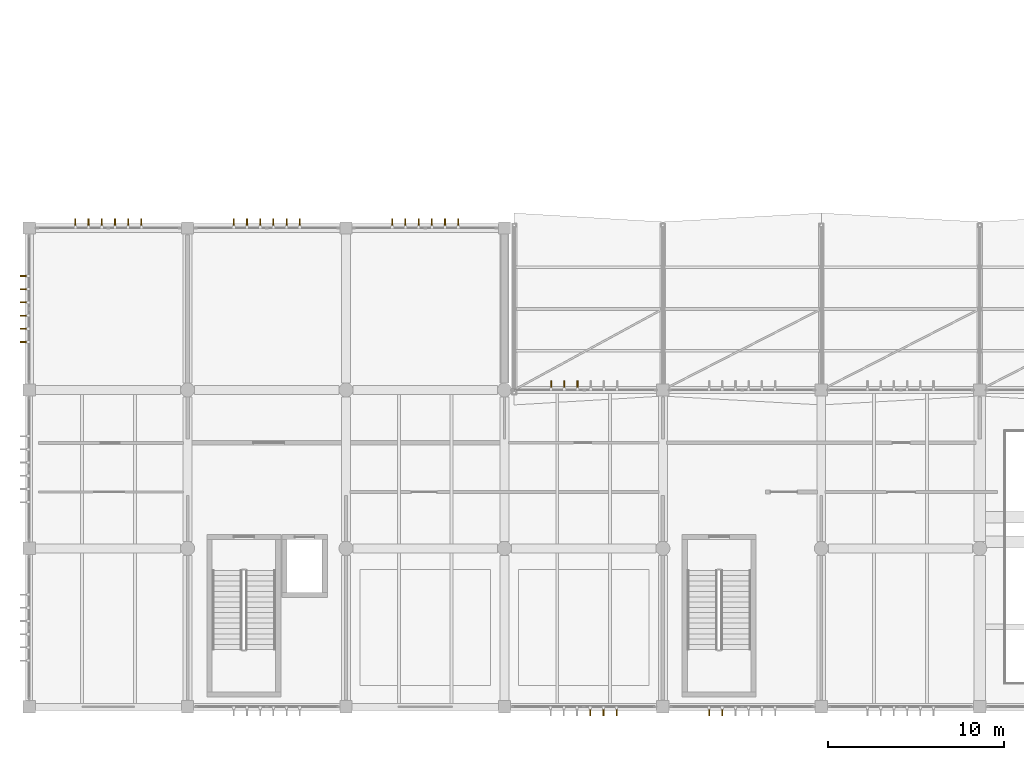
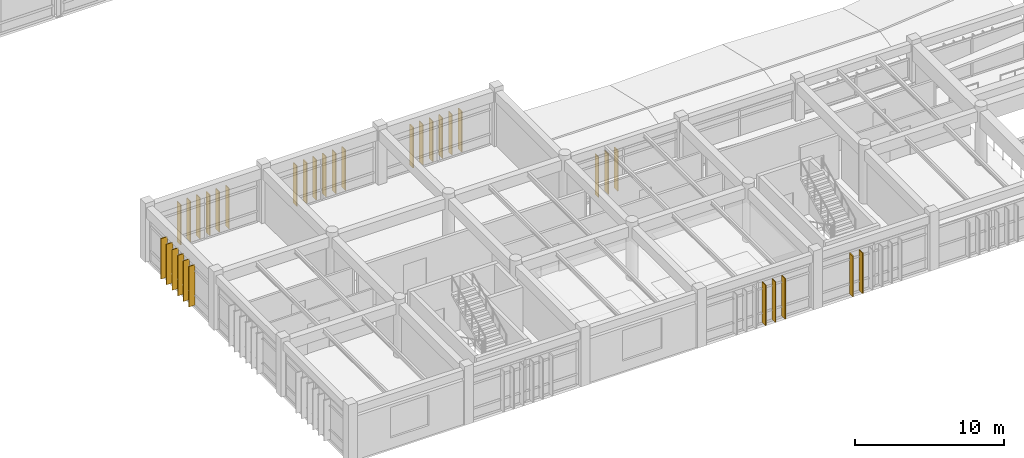
# One storey, part 83 of 90: 32 shading devices.
"""IFC4 building model written with IfcOpenShell, lengths in metres."""

from ifc_helpers import new_model, si_unit, direction, frame, origin, origin_2d, place, context, subcontext, project, spatial, rectangle, extrude, material, type_object, element, save


model = new_model("IFC4")

# Units and contexts
model_context = context("Model", 3, precision=1e-05, world=origin(), true_north=direction((0.0, 1.0)))
body_context = subcontext(model_context, "Body", "Model", "MODEL_VIEW")
ifc_project = project(units=[si_unit("LENGTHUNIT", "METRE"), si_unit("AREAUNIT", "SQUARE_METRE"), si_unit("VOLUMEUNIT", "CUBIC_METRE"), si_unit("PLANEANGLEUNIT", "RADIAN"), si_unit("MASSUNIT", "GRAM", prefix="KILO")], contexts=[model_context])

# Site, building, storey
site_placement = place(None, origin())
site = spatial("IfcSite", under=ifc_project, at=site_placement, CompositionType="ELEMENT")
building_placement = place(site_placement, origin())
building = spatial("IfcBuilding", under=site, at=building_placement, Name="Bozkorgan Art Gallery", CompositionType="ELEMENT")
storey_placement = place(building_placement, frame((0.0, 0.0, 5.39990234375)))
storey = spatial("IfcBuildingStorey", under=building, at=storey_placement, Name="L01", CompositionType="ELEMENT", Elevation=5.39990234375)

# Shading devices
ifc_material = material(Name="Polychrome Vitrified Ceramic Tile")
shading_device_type = type_object("IfcShadingDeviceType", Name="SHD-FIN-01", PredefinedType="USERDEFINED", material=ifc_material)
for number, where, z_axis, x_axis, name in (
    (1, (33.875, 1.719970703125, 0.14013671875), (0.0, 0.0, 1.0), (0.0, -1.0, 0.0), "CW-V1-L01-1S-04 vertical solar fin 4"),
    (2, (34.625, 1.719970703125, 0.14013671875), (0.0, 0.0, 1.0), (0.0, -1.0, 0.0), "CW-V1-L01-1S-04 vertical solar fin 5"),
    (3, (35.375, 1.719970703125, 0.14013671875), (0.0, 0.0, 1.0), (0.0, -1.0, 0.0), "CW-V1-L01-1S-04 vertical solar fin 6"),
    (4, (31.64990234375, 20.280029296875, 0.14013671875), (0.0, 0.0, 1.0), (0.0, 1.0, 0.0), "CW-V1-L01-1N-05 vertical solar fin 1"),
    (5, (32.39990234375, 20.280029296875, 0.14013671875), (0.0, 0.0, 1.0), (0.0, 1.0, 0.0), "CW-V1-L01-1N-05 vertical solar fin 2"),
    (6, (33.14990234375, 20.280029296875, 0.14013671875), (0.0, 0.0, 1.0), (0.0, 1.0, 0.0), "CW-V1-L01-1N-05 vertical solar fin 3"),
    (7, (40.625, 1.719970703125, 0.14013671875), (0.0, 0.0, 1.0), (0.0, -1.0, 0.0), "CW-V1-L01-1S-06 vertical solar fin 1"),
    (8, (41.375, 1.719970703125, 0.14013671875), (0.0, 0.0, 1.0), (0.0, -1.0, 0.0), "CW-V1-L01-1S-06 vertical solar fin 2"),
    (9, (4.625, 29.47998046875, 0.14013671875), (0.0, 0.0, 1.0), (0.0, 1.0, 0.0), "CW-V1-L01-2N-01 vertical solar fin 1"),
    (10, (5.375, 29.47998046875, 0.14013671875), (0.0, 0.0, 1.0), (0.0, 1.0, 0.0), "CW-V1-L01-2N-01 vertical solar fin 2"),
    (11, (6.125, 29.47998046875, 0.14013671875), (0.0, 0.0, 1.0), (0.0, 1.0, 0.0), "CW-V1-L01-2N-01 vertical solar fin 3"),
    (12, (6.875, 29.47998046875, 0.14013671875), (0.0, 0.0, 1.0), (0.0, 1.0, 0.0), "CW-V1-L01-2N-01 vertical solar fin 4"),
    (13, (7.625, 29.47998046875, 0.14013671875), (0.0, 0.0, 1.0), (0.0, 1.0, 0.0), "CW-V1-L01-2N-01 vertical solar fin 5"),
    (14, (8.375, 29.47998046875, 0.14013671875), (0.0, 0.0, 1.0), (0.0, 1.0, 0.0), "CW-V1-L01-2N-01 vertical solar fin 6"),
    (15, (13.625, 29.47998046875, 0.14013671875), (0.0, 0.0, 1.0), (0.0, 1.0, 0.0), "CW-V1-L01-2N-02 vertical solar fin 1"),
    (16, (14.375, 29.47998046875, 0.14013671875), (0.0, 0.0, 1.0), (0.0, 1.0, 0.0), "CW-V1-L01-2N-02 vertical solar fin 2"),
    (17, (15.125, 29.47998046875, 0.14013671875), (0.0, 0.0, 1.0), (0.0, 1.0, 0.0), "CW-V1-L01-2N-02 vertical solar fin 3"),
    (18, (15.875, 29.47998046875, 0.14013671875), (0.0, 0.0, 1.0), (0.0, 1.0, 0.0), "CW-V1-L01-2N-02 vertical solar fin 4"),
    (19, (16.625, 29.47998046875, 0.14013671875), (0.0, 0.0, 1.0), (0.0, 1.0, 0.0), "CW-V1-L01-2N-02 vertical solar fin 5"),
    (20, (17.375, 29.47998046875, 0.14013671875), (0.0, 0.0, 1.0), (0.0, 1.0, 0.0), "CW-V1-L01-2N-02 vertical solar fin 6"),
    (21, (22.625, 29.47998046875, 0.14013671875), (0.0, 0.0, 1.0), (0.0, 1.0, 0.0), "CW-V1-L01-2N-03 vertical solar fin 1"),
    (22, (23.375, 29.47998046875, 0.14013671875), (0.0, 0.0, 1.0), (0.0, 1.0, 0.0), "CW-V1-L01-2N-03 vertical solar fin 2"),
    (23, (24.125, 29.47998046875, 0.14013671875), (0.0, 0.0, 1.0), (0.0, 1.0, 0.0), "CW-V1-L01-2N-03 vertical solar fin 3"),
    (24, (24.875, 29.47998046875, 0.14013671875), (0.0, 0.0, 1.0), (0.0, 1.0, 0.0), "CW-V1-L01-2N-03 vertical solar fin 4"),
    (25, (25.625, 29.47998046875, 0.14013671875), (0.0, 0.0, 1.0), (0.0, 1.0, 0.0), "CW-V1-L01-2N-03 vertical solar fin 5"),
    (26, (26.375, 29.47998046875, 0.14013671875), (0.0, 0.0, 1.0), (0.0, 1.0, 0.0), "CW-V1-L01-2N-03 vertical solar fin 6"),
    (27, (1.719970703125, 22.72509765625, 0.14013671875), (0.0, 0.0, 1.0), (-1.0, 0.0, 0.0), "CW-V1-L01-2W-04 vertical solar fin 1"),
    (28, (1.719970703125, 23.47509765625, 0.14013671875), (0.0, 0.0, 1.0), (-1.0, 0.0, 0.0), "CW-V1-L01-2W-04 vertical solar fin 2"),
    (29, (1.719970703125, 24.22509765625, 0.14013671875), (0.0, 0.0, 1.0), (-1.0, 0.0, 0.0), "CW-V1-L01-2W-04 vertical solar fin 3"),
    (30, (1.719970703125, 24.97509765625, 0.14013671875), (0.0, 0.0, 1.0), (-1.0, 0.0, 0.0), "CW-V1-L01-2W-04 vertical solar fin 4"),
    (31, (1.719970703125, 25.72509765625, 0.14013671875), (0.0, 0.0, 1.0), (-1.0, 0.0, 0.0), "CW-V1-L01-2W-04 vertical solar fin 5"),
    (32, (1.719970703125, 26.47509765625, 0.14013671875), (0.0, 0.0, 1.0), (-1.0, 0.0, 0.0), "CW-V1-L01-2W-04 vertical solar fin 6"),
):
    element("IfcShadingDevice", number, at=place(storey_placement, frame(where, z_axis=z_axis, x_axis=x_axis)), inside=storey, type_object=shading_device_type, Name=name, ObjectType="FIN", PredefinedType="USERDEFINED", context=body_context, shape_type="SweptSolid", body=[
        extrude(rectangle(XDim=0.47998046875, YDim=0.06494140625, at=origin_2d()), origin(), (0.0, 0.0, 1.0), 3.31494140625),
    ])

save(model, "model.ifc")
